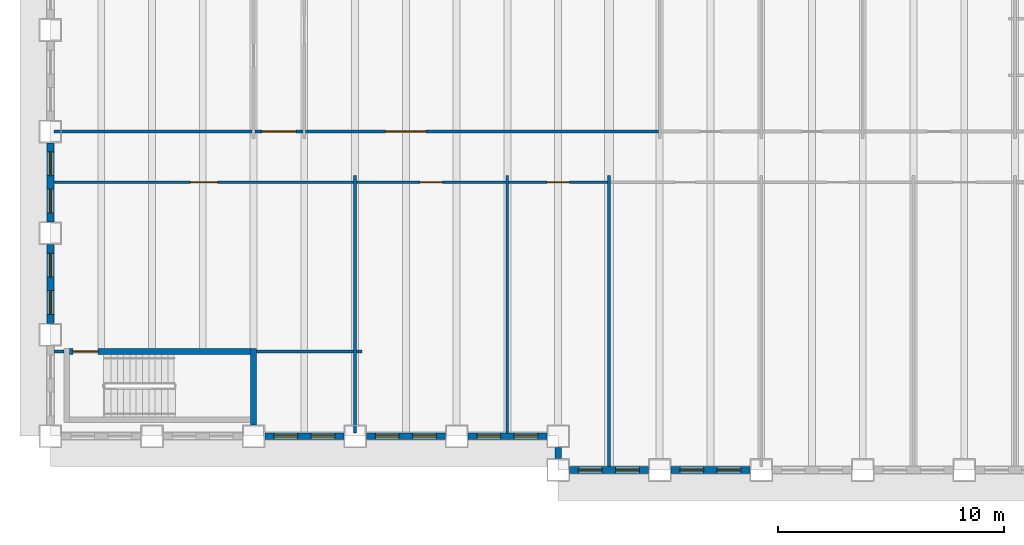
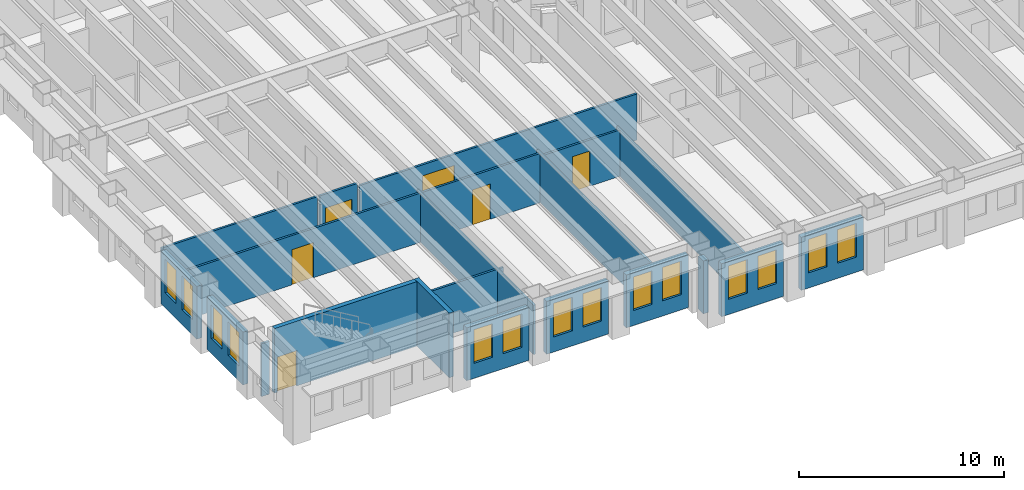
# One storey, part 3 of 16: 22 walls, 14 windows, 6 doors, 20 openings.
"""IFC4 building model written with IfcOpenShell, lengths in metres."""

from ifc_helpers import new_model, si_unit, direction, frame, frame_2d, origin, place, context, subcontext, project, spatial, rectangle, extrude, material, layer, layer_set, type_object, element, fill, save


model = new_model("IFC4")

# Units and contexts
model_context = context("Model", 3, precision=1e-05, world=origin(), true_north=direction((0.0, 1.0)))
body_context = subcontext(model_context, "Body", "Model", "MODEL_VIEW")
ifc_project = project(units=[si_unit("LENGTHUNIT", "METRE"), si_unit("AREAUNIT", "SQUARE_METRE"), si_unit("VOLUMEUNIT", "CUBIC_METRE"), si_unit("PLANEANGLEUNIT", "RADIAN"), si_unit("MASSUNIT", "GRAM", prefix="KILO")], contexts=[model_context])

# Site, building, storey
site_placement = place(None, origin())
site = spatial("IfcSite", under=ifc_project, at=site_placement, CompositionType="ELEMENT")
building_placement = place(site_placement, origin())
building = spatial("IfcBuilding", under=site, at=building_placement, Name="Sennacour Bend Tower", CompositionType="ELEMENT")
storey_placement = place(building_placement, frame((0.0, 0.0, 123.0)))
storey = spatial("IfcBuildingStorey", under=building, at=storey_placement, Name="L28", CompositionType="ELEMENT", Elevation=123.0)

# Walls
ifc_material_1 = material(Name="Plasterboard partition on steel studs", Category="steel")
ifc_layer_1 = layer(ifc_material_1, 0.1201171875, Name="Plasterboard partition on steel studs", Category="steel")
ifc_layer_set_1 = layer_set([ifc_layer_1], Name="Plasterboard partition on steel studs")
wall_type_1 = type_object("IfcWallType", Name="Partition 120", PredefinedType="PARTITIONING", material=ifc_layer_set_1)
for number, where, z_axis, x_axis, name in (
    (1, (13.5, 0.14990234375, 0.0), (0.0, 0.0, 1.0), (0.0, 1.0, 0.0), "P-L28-W015a"),
    (2, (20.25, 0.14990234375, 0.0), (0.0, 0.0, 1.0), (0.0, 1.0, 0.0), "P-L28-W023a"),
):
    element("IfcWall", number, at=place(storey_placement, frame(where, z_axis=z_axis, x_axis=x_axis)), inside=storey, type_object=wall_type_1, Name=name, PredefinedType="PARTITIONING", context=body_context, shape_type="SweptSolid", body=[
        extrude(rectangle(XDim=11.400146484375, YDim=0.1201171875, at=frame_2d((5.7001953125, 0.0))), origin(), (0.0, 0.0, 1.0), 2.93798828125),
    ])
wall_1_placement = place(storey_placement, frame((24.75, -1.35009765625, 0.0), z_axis=(0.0, 0.0, 1.0), x_axis=(0.0, 1.0, 0.0)))
element("IfcWall", 3, at=wall_1_placement, inside=storey, type_object=wall_type_1, Name="P-L28-W025a", PredefinedType="PARTITIONING", context=body_context, shape_type="SweptSolid", body=[
    extrude(rectangle(XDim=12.900146484375, YDim=0.1201171875, at=frame_2d((6.4501953125, 0.0))), origin(), (0.0, 0.0, 1.0), 2.760009765625),
])
wall_2_placement = place(storey_placement, frame((0.14990234375, 3.75, 0.0), z_axis=(0.0, 0.0, 1.0), x_axis=(1.0, 0.0, 0.0)))
element("IfcWall", 4, at=wall_2_placement, inside=storey, type_object=wall_type_1, Name="P-L28-W051a", PredefinedType="PARTITIONING", context=body_context, shape_type="SweptSolid", body=[
    extrude(rectangle(XDim=0.4501953125, YDim=0.1201171875, at=frame_2d((0.22509765625, 0.0))), origin(), (0.0, 0.0, 1.0), 3.154052734375),
])
wall_3_placement = place(storey_placement, frame((9.125, 3.75, 0.0), z_axis=(0.0, 0.0, 1.0), x_axis=(1.0, 0.0, 0.0)))
element("IfcWall", 5, at=wall_3_placement, inside=storey, type_object=wall_type_1, Name="P-L28-W053aa", PredefinedType="PARTITIONING", context=body_context, shape_type="SweptSolid", body=[
    extrude(rectangle(XDim=4.31494140625, YDim=0.1201171875, at=frame_2d((2.157470703125, 0.0))), origin(), (0.0, 0.0, 1.0), 2.93798828125),
])
wall_4_placement = place(storey_placement, frame((13.56005859375, 3.75, 0.0), z_axis=(0.0, 0.0, 1.0), x_axis=(1.0, 0.0, 0.0)))
element("IfcWall", 6, at=wall_4_placement, inside=storey, type_object=wall_type_1, Name="P-L28-W053ab", PredefinedType="PARTITIONING", context=body_context, shape_type="SweptSolid", body=[
    extrude(rectangle(XDim=0.239990234375, YDim=0.1201171875, at=frame_2d((0.1201171875, 0.0))), origin(), (0.0, 0.0, 1.0), 2.93798828125),
])

# Wall, opening, door
wall_5_placement = place(storey_placement, frame((13.56005859375, 11.25, 0.0), z_axis=(0.0, 0.0, 1.0), x_axis=(1.0, 0.0, 0.0)))
wall_5 = element("IfcWall", 7, at=wall_5_placement, inside=storey, type_object=wall_type_1, Name="P-L28-W058ab", PredefinedType="PARTITIONING", context=body_context, shape_type="SweptSolid", body=[
    extrude(rectangle(XDim=6.6298828125, YDim=0.1201171875, at=frame_2d((3.31494140625, 0.0))), origin(), (0.0, 0.0, 1.0), 2.93798828125),
])
opening_1_placement = place(wall_5_placement, frame((2.81494140625, 0.0, 0.0)))
opening_1 = element("IfcOpeningElement", 8, at=opening_1_placement, cuts=wall_5, Name="Opening OD2", PredefinedType="OPENING", context=body_context, shape_type="SweptSolid", body=[
    extrude(rectangle(XDim=1.0, YDim=2.10009765625, at=frame_2d((0.5, 1.050048828125))), frame((0.0, 0.070068359375, 0.0), z_axis=(0.0, -1.0, 0.0), x_axis=(1.0, 0.0, 0.0)), (0.0, 0.0, 1.0), 0.14013671875),
])
ifc_material_2 = material(Name="Timber", Category="wood")
door_type_1 = type_object("IfcDoorType", Name="DR-OFFICE-1000", OperationType="NOTDEFINED", PredefinedType="DOOR", material=ifc_material_2)
door_1_placement = place(opening_1_placement, origin())
door_1 = element("IfcDoor", 9, at=door_1_placement, inside=storey, type_object=door_type_1, Name="Door", OperationType="SINGLE_SWING_LEFT", OverallHeight=2.10009765625, OverallWidth=1.0, PredefinedType="DOOR", context=body_context, shape_type="SweptSolid", body=[
    extrude(rectangle(XDim=1.0, YDim=2.10009765625, at=frame_2d((0.5, 1.050048828125))), frame((0.0, 0.02490234375, 0.0), z_axis=(0.0, -1.0, 0.0), x_axis=(1.0, 0.0, 0.0)), (0.0, 0.0, 1.0), 0.050048828125),
])
fill(opening_1, door_1)

wall_6_placement = place(storey_placement, frame((20.31005859375, 11.25, 0.0), z_axis=(0.0, 0.0, 1.0), x_axis=(1.0, 0.0, 0.0)))
wall_6 = element("IfcWall", 10, at=wall_6_placement, inside=storey, type_object=wall_type_1, Name="P-L28-W058ac", PredefinedType="PARTITIONING", context=body_context, shape_type="SweptSolid", body=[
    extrude(rectangle(XDim=4.3798828125, YDim=0.1201171875, at=frame_2d((2.18994140625, 0.0))), origin(), (0.0, 0.0, 1.0), 2.760009765625),
])
opening_2_placement = place(wall_6_placement, frame((1.68994140625, 0.0, 0.0)))
opening_2 = element("IfcOpeningElement", 11, at=opening_2_placement, cuts=wall_6, Name="Opening OD2", PredefinedType="OPENING", context=body_context, shape_type="SweptSolid", body=[
    extrude(rectangle(XDim=1.0, YDim=2.10009765625, at=frame_2d((0.5, 1.050048828125))), frame((0.0, 0.070068359375, 0.0), z_axis=(0.0, -1.0, 0.0), x_axis=(1.0, 0.0, 0.0)), (0.0, 0.0, 1.0), 0.14013671875),
])
door_2_placement = place(opening_2_placement, origin())
door_2 = element("IfcDoor", 12, at=door_2_placement, inside=storey, type_object=door_type_1, Name="Door", OperationType="SINGLE_SWING_LEFT", OverallHeight=2.10009765625, OverallWidth=1.0, PredefinedType="DOOR", context=body_context, shape_type="SweptSolid", body=[
    extrude(rectangle(XDim=1.0, YDim=2.10009765625, at=frame_2d((0.5, 1.050048828125))), frame((0.0, 0.02490234375, 0.0), z_axis=(0.0, -1.0, 0.0), x_axis=(1.0, 0.0, 0.0)), (0.0, 0.0, 1.0), 0.050048828125),
])
fill(opening_2, door_2)

# Wall
wall_7_placement = place(storey_placement, frame((0.14990234375, 13.5, 0.0), z_axis=(0.0, 0.0, 1.0), x_axis=(1.0, 0.0, 0.0)))
element("IfcWall", 13, at=wall_7_placement, inside=storey, type_object=wall_type_1, Name="P-L28-W060aa", PredefinedType="PARTITIONING", context=body_context, shape_type="SweptSolid", body=[
    extrude(rectangle(XDim=8.7900390625, YDim=0.1201171875, at=frame_2d((4.39501953125, 0.0))), origin(), (0.0, 0.0, 1.0), 2.93798828125),
])

# Wall, opening, door
wall_8_placement = place(storey_placement, frame((11.31005859375, 13.5, 0.0), z_axis=(0.0, 0.0, 1.0), x_axis=(1.0, 0.0, 0.0)))
wall_8 = element("IfcWall", 14, at=wall_8_placement, inside=storey, type_object=wall_type_1, Name="P-L28-W060ac", PredefinedType="PARTITIONING", context=body_context, shape_type="SweptSolid", body=[
    extrude(rectangle(XDim=15.6298828125, YDim=0.1201171875, at=frame_2d((7.81494140625, 0.0))), origin(), (0.0, 0.0, 1.0), 2.760009765625),
])
opening_3_placement = place(wall_8_placement, frame((3.539794921875, 0.0, 0.0)))
opening_3 = element("IfcOpeningElement", 15, at=opening_3_placement, cuts=wall_8, Name="Opening OD3", PredefinedType="OPENING", context=body_context, shape_type="SweptSolid", body=[
    extrude(rectangle(XDim=1.800048828125, YDim=2.10009765625, at=frame_2d((0.89990234375, 1.050048828125))), frame((0.0, 0.070068359375, 0.0), z_axis=(0.0, -1.0, 0.0), x_axis=(1.0, 0.0, 0.0)), (0.0, 0.0, 1.0), 0.14013671875),
])
door_type_2 = type_object("IfcDoorType", Name="DR-OFFICE-1800", OperationType="NOTDEFINED", PredefinedType="DOOR", material=ifc_material_2)
door_3_placement = place(opening_3_placement, origin())
door_3 = element("IfcDoor", 16, at=door_3_placement, inside=storey, type_object=door_type_2, Name="Door", OperationType="DOUBLE_DOOR_SINGLE_SWING", OverallHeight=2.10009765625, OverallWidth=1.800048828125, PredefinedType="DOOR", context=body_context, shape_type="SweptSolid", body=[
    extrude(rectangle(XDim=1.800048828125, YDim=2.10009765625, at=frame_2d((0.89990234375, 1.050048828125))), frame((0.0, 0.02490234375, 0.0), z_axis=(0.0, -1.0, 0.0), x_axis=(1.0, 0.0, 0.0)), (0.0, 0.0, 1.0), 0.050048828125),
])
fill(opening_3, door_3)

ifc_layer_2 = layer(ifc_material_1, 0.1201171875, Name="Plasterboard partition on steel studs", Category="steel")
ifc_layer_set_2 = layer_set([ifc_layer_2], Name="Plasterboard partition on steel studs")
wall_type_2 = type_object("IfcWallType", Name="Partition 120 EI 30", PredefinedType="PARTITIONING", material=ifc_layer_set_2)
wall_9_placement = place(storey_placement, frame((0.14990234375, 11.25, 0.0), z_axis=(0.0, 0.0, 1.0), x_axis=(1.0, 0.0, 0.0)))
wall_9 = element("IfcWall", 17, at=wall_9_placement, inside=storey, type_object=wall_type_2, Name="P-L28-W058aa", PredefinedType="PARTITIONING", context=body_context, shape_type="SweptSolid", body=[
    extrude(rectangle(XDim=13.2900390625, YDim=0.1201171875, at=frame_2d((6.64501953125, 0.0))), origin(), (0.0, 0.0, 1.0), 2.93798828125),
])
opening_4_placement = place(wall_9_placement, frame((6.05517578125, 0.0, 0.0)))
opening_4 = element("IfcOpeningElement", 18, at=opening_4_placement, cuts=wall_9, Name="Opening KD2", PredefinedType="OPENING", context=body_context, shape_type="SweptSolid", body=[
    extrude(rectangle(XDim=1.199951171875, YDim=2.10009765625, at=frame_2d((0.60009765625, 1.050048828125))), frame((0.0, 0.070068359375, 0.0), z_axis=(0.0, -1.0, 0.0), x_axis=(1.0, 0.0, 0.0)), (0.0, 0.0, 1.0), 0.14013671875),
])
ifc_material_3 = material(Name="Painted steel", Category="steel")
door_type_3 = type_object("IfcDoorType", Name="DR-CORRIDOR-1200", OperationType="NOTDEFINED", PredefinedType="DOOR", material=ifc_material_3)
door_4_placement = place(opening_4_placement, origin())
door_4 = element("IfcDoor", 19, at=door_4_placement, inside=storey, type_object=door_type_3, Name="Door", OperationType="SINGLE_SWING_LEFT", OverallHeight=2.10009765625, OverallWidth=1.199951171875, PredefinedType="DOOR", context=body_context, shape_type="SweptSolid", body=[
    extrude(rectangle(XDim=1.199951171875, YDim=2.10009765625, at=frame_2d((0.60009765625, 1.050048828125))), frame((0.0, 0.02490234375, 0.0), z_axis=(0.0, -1.0, 0.0), x_axis=(1.0, 0.0, 0.0)), (0.0, 0.0, 1.0), 0.050048828125),
])
fill(opening_4, door_4)

wall_10_placement = place(storey_placement, frame((9.06005859375, 13.5, 0.0), z_axis=(0.0, 0.0, 1.0), x_axis=(1.0, 0.0, 0.0)))
wall_10 = element("IfcWall", 20, at=wall_10_placement, inside=storey, type_object=wall_type_2, Name="P-L28-W060ab", PredefinedType="PARTITIONING", context=body_context, shape_type="SweptSolid", body=[
    extrude(rectangle(XDim=2.1298828125, YDim=0.1201171875, at=frame_2d((1.06494140625, 0.0))), origin(), (0.0, 0.0, 1.0), 2.93798828125),
])
opening_5_placement = place(wall_10_placement, frame((0.31494140625, 0.0, 0.0)))
opening_5 = element("IfcOpeningElement", 21, at=opening_5_placement, cuts=wall_10, Name="Opening KD", PredefinedType="OPENING", context=body_context, shape_type="SweptSolid", body=[
    extrude(rectangle(XDim=1.5, YDim=2.10009765625, at=frame_2d((0.75, 1.050048828125))), frame((0.0, 0.070068359375, 0.0), z_axis=(0.0, -1.0, 0.0), x_axis=(1.0, 0.0, 0.0)), (0.0, 0.0, 1.0), 0.14013671875),
])
door_type_4 = type_object("IfcDoorType", Name="DR-CORRIDOR-1500", OperationType="NOTDEFINED", PredefinedType="DOOR", material=ifc_material_3)
door_5_placement = place(opening_5_placement, origin())
door_5 = element("IfcDoor", 22, at=door_5_placement, inside=storey, type_object=door_type_4, Name="Door", OperationType="SINGLE_SWING_LEFT", OverallHeight=2.10009765625, OverallWidth=1.5, PredefinedType="DOOR", context=body_context, shape_type="SweptSolid", body=[
    extrude(rectangle(XDim=1.5, YDim=2.10009765625, at=frame_2d((0.75, 1.050048828125))), frame((0.0, 0.02490234375, 0.0), z_axis=(0.0, -1.0, 0.0), x_axis=(1.0, 0.0, 0.0)), (0.0, 0.0, 1.0), 0.050048828125),
])
fill(opening_5, door_5)

# Wall, openings, windows
ifc_material_4 = material(Name="Warm limestone cladding", Category="masonry")
ifc_layer_3 = layer(ifc_material_4, 0.050048828125, Name="Warm limestone cladding", Category="masonry")
ifc_material_5 = material(Name="Precast concrete C40/50", Category="concrete")
ifc_layer_4 = layer(ifc_material_5, 0.25, Name="Precast concrete C40/50", Category="concrete")
ifc_layer_set_3 = layer_set([ifc_layer_3, ifc_layer_4], Name="Precast concrete C40/50 with limestone cladding")
wall_type_3 = type_object("IfcWallType", Name="STONE-CLAD PRECAST SPANDREL 300", PredefinedType="STANDARD", material=ifc_layer_set_3)
wall_11_placement = place(storey_placement, frame((23.0, -1.5, 0.0), z_axis=(0.0, 0.0, 1.0), x_axis=(1.0, 0.0, 0.0)))
wall_11 = element("IfcWall", 23, at=wall_11_placement, inside=storey, type_object=wall_type_3, Name="Stone spandrel and pier wall L28 00.00", PredefinedType="STANDARD", context=body_context, shape_type="SweptSolid", body=[
    extrude(rectangle(XDim=3.5, YDim=0.300048828125, at=frame_2d((1.75, 0.0))), origin(), (0.0, 0.0, 1.0), 3.154052734375),
])
opening_6_placement = place(wall_11_placement, frame((0.39990234375, 0.0, 0.89990234375)))
opening_6 = element("IfcOpeningElement", 24, at=opening_6_placement, cuts=wall_11, Name="Opening W13", PredefinedType="OPENING", context=body_context, shape_type="SweptSolid", body=[
    extrude(rectangle(XDim=1.050048828125, YDim=2.0, at=frame_2d((0.52490234375, 1.0))), frame((0.0, 0.16015625, 0.0), z_axis=(0.0, -1.0, 0.0), x_axis=(1.0, 0.0, 0.0)), (0.0, 0.0, 1.0), 0.320068359375),
])
opening_7_placement = place(wall_11_placement, frame((2.050048828125, 0.0, 0.89990234375)))
opening_7 = element("IfcOpeningElement", 25, at=opening_7_placement, cuts=wall_11, Name="Opening W13", PredefinedType="OPENING", context=body_context, shape_type="SweptSolid", body=[
    extrude(rectangle(XDim=1.050048828125, YDim=2.0, at=frame_2d((0.52490234375, 1.0))), frame((0.0, 0.16015625, 0.0), z_axis=(0.0, -1.0, 0.0), x_axis=(1.0, 0.0, 0.0)), (0.0, 0.0, 1.0), 0.320068359375),
])
ifc_material_6 = material(Name="Clear low-emissivity glass", Category="glass")
window_type = type_object("IfcWindowType", Name="WIN-RIBBON-1050x2000", PartitioningType="SINGLE_PANEL", PredefinedType="WINDOW", material=ifc_material_6)
window_1_placement = place(opening_6_placement, origin())
window_1 = element("IfcWindow", 26, at=window_1_placement, inside=storey, type_object=window_type, Name="Ribbon window L28 00.00.0", OverallHeight=2.0, OverallWidth=1.050048828125, PartitioningType="SINGLE_PANEL", PredefinedType="WINDOW", context=body_context, shape_type="SweptSolid", body=[
    extrude(rectangle(XDim=1.050048828125, YDim=2.0, at=frame_2d((0.52490234375, 1.0))), frame((0.0, 0.030029296875, 0.0), z_axis=(0.0, -1.0, 0.0), x_axis=(1.0, 0.0, 0.0)), (0.0, 0.0, 1.0), 0.06005859375),
])
fill(opening_6, window_1)
window_2_placement = place(opening_7_placement, origin())
window_2 = element("IfcWindow", 27, at=window_2_placement, inside=storey, type_object=window_type, Name="Ribbon window L28 00.00.1", OverallHeight=2.0, OverallWidth=1.050048828125, PartitioningType="SINGLE_PANEL", PredefinedType="WINDOW", context=body_context, shape_type="SweptSolid", body=[
    extrude(rectangle(XDim=1.050048828125, YDim=2.0, at=frame_2d((0.52490234375, 1.0))), frame((0.0, 0.030029296875, 0.0), z_axis=(0.0, -1.0, 0.0), x_axis=(1.0, 0.0, 0.0)), (0.0, 0.0, 1.0), 0.06005859375),
])
fill(opening_7, window_2)

wall_12_placement = place(storey_placement, frame((27.5, -1.5, 0.0), z_axis=(0.0, 0.0, 1.0), x_axis=(1.0, 0.0, 0.0)))
wall_12 = element("IfcWall", 28, at=wall_12_placement, inside=storey, type_object=wall_type_3, Name="Stone spandrel and pier wall L28 00.01", PredefinedType="STANDARD", context=body_context, shape_type="SweptSolid", body=[
    extrude(rectangle(XDim=3.5, YDim=0.300048828125, at=frame_2d((1.75, 0.0))), origin(), (0.0, 0.0, 1.0), 3.154052734375),
])
opening_8_placement = place(wall_12_placement, frame((0.39990234375, 0.0, 0.89990234375)))
opening_8 = element("IfcOpeningElement", 29, at=opening_8_placement, cuts=wall_12, Name="Opening W13", PredefinedType="OPENING", context=body_context, shape_type="SweptSolid", body=[
    extrude(rectangle(XDim=1.050048828125, YDim=2.0, at=frame_2d((0.52490234375, 1.0))), frame((0.0, 0.16015625, 0.0), z_axis=(0.0, -1.0, 0.0), x_axis=(1.0, 0.0, 0.0)), (0.0, 0.0, 1.0), 0.320068359375),
])
opening_9_placement = place(wall_12_placement, frame((2.050048828125, 0.0, 0.89990234375)))
opening_9 = element("IfcOpeningElement", 30, at=opening_9_placement, cuts=wall_12, Name="Opening W13", PredefinedType="OPENING", context=body_context, shape_type="SweptSolid", body=[
    extrude(rectangle(XDim=1.050048828125, YDim=2.0, at=frame_2d((0.52490234375, 1.0))), frame((0.0, 0.16015625, 0.0), z_axis=(0.0, -1.0, 0.0), x_axis=(1.0, 0.0, 0.0)), (0.0, 0.0, 1.0), 0.320068359375),
])
window_3_placement = place(opening_8_placement, origin())
window_3 = element("IfcWindow", 31, at=window_3_placement, inside=storey, type_object=window_type, Name="Ribbon window L28 00.01.0", OverallHeight=2.0, OverallWidth=1.050048828125, PartitioningType="SINGLE_PANEL", PredefinedType="WINDOW", context=body_context, shape_type="SweptSolid", body=[
    extrude(rectangle(XDim=1.050048828125, YDim=2.0, at=frame_2d((0.52490234375, 1.0))), frame((0.0, 0.030029296875, 0.0), z_axis=(0.0, -1.0, 0.0), x_axis=(1.0, 0.0, 0.0)), (0.0, 0.0, 1.0), 0.06005859375),
])
fill(opening_8, window_3)
window_4_placement = place(opening_9_placement, origin())
window_4 = element("IfcWindow", 32, at=window_4_placement, inside=storey, type_object=window_type, Name="Ribbon window L28 00.01.1", OverallHeight=2.0, OverallWidth=1.050048828125, PartitioningType="SINGLE_PANEL", PredefinedType="WINDOW", context=body_context, shape_type="SweptSolid", body=[
    extrude(rectangle(XDim=1.050048828125, YDim=2.0, at=frame_2d((0.52490234375, 1.0))), frame((0.0, 0.030029296875, 0.0), z_axis=(0.0, -1.0, 0.0), x_axis=(1.0, 0.0, 0.0)), (0.0, 0.0, 1.0), 0.06005859375),
])
fill(opening_9, window_4)

wall_13_placement = place(storey_placement, frame((0.0, 13.0, 0.0), z_axis=(0.0, 0.0, 1.0), x_axis=(0.0, -1.0, 0.0)))
wall_13 = element("IfcWall", 33, at=wall_13_placement, inside=storey, type_object=wall_type_3, Name="Stone spandrel and pier wall L28 21.02", PredefinedType="STANDARD", context=body_context, shape_type="SweptSolid", body=[
    extrude(rectangle(XDim=3.5, YDim=0.300048828125, at=frame_2d((1.75, 0.0))), origin(), (0.0, 0.0, 1.0), 3.154052734375),
])
opening_10_placement = place(wall_13_placement, frame((0.39990234375, 0.0, 0.89990234375)))
opening_10 = element("IfcOpeningElement", 34, at=opening_10_placement, cuts=wall_13, Name="Opening W13", PredefinedType="OPENING", context=body_context, shape_type="SweptSolid", body=[
    extrude(rectangle(XDim=1.050048828125, YDim=2.0, at=frame_2d((0.52490234375, 1.0))), frame((0.0, 0.16015625, 0.0), z_axis=(0.0, -1.0, 0.0), x_axis=(1.0, 0.0, 0.0)), (0.0, 0.0, 1.0), 0.320068359375),
])
opening_11_placement = place(wall_13_placement, frame((2.050048828125, 0.0, 0.89990234375)))
opening_11 = element("IfcOpeningElement", 35, at=opening_11_placement, cuts=wall_13, Name="Opening W13", PredefinedType="OPENING", context=body_context, shape_type="SweptSolid", body=[
    extrude(rectangle(XDim=1.050048828125, YDim=2.0, at=frame_2d((0.52490234375, 1.0))), frame((0.0, 0.16015625, 0.0), z_axis=(0.0, -1.0, 0.0), x_axis=(1.0, 0.0, 0.0)), (0.0, 0.0, 1.0), 0.320068359375),
])
window_5_placement = place(opening_10_placement, origin())
window_5 = element("IfcWindow", 36, at=window_5_placement, inside=storey, type_object=window_type, Name="Ribbon window L28 21.02.0", OverallHeight=2.0, OverallWidth=1.050048828125, PartitioningType="SINGLE_PANEL", PredefinedType="WINDOW", context=body_context, shape_type="SweptSolid", body=[
    extrude(rectangle(XDim=1.050048828125, YDim=2.0, at=frame_2d((0.52490234375, 1.0))), frame((0.0, 0.030029296875, 0.0), z_axis=(0.0, -1.0, 0.0), x_axis=(1.0, 0.0, 0.0)), (0.0, 0.0, 1.0), 0.06005859375),
])
fill(opening_10, window_5)
window_6_placement = place(opening_11_placement, origin())
window_6 = element("IfcWindow", 37, at=window_6_placement, inside=storey, type_object=window_type, Name="Ribbon window L28 21.02.1", OverallHeight=2.0, OverallWidth=1.050048828125, PartitioningType="SINGLE_PANEL", PredefinedType="WINDOW", context=body_context, shape_type="SweptSolid", body=[
    extrude(rectangle(XDim=1.050048828125, YDim=2.0, at=frame_2d((0.52490234375, 1.0))), frame((0.0, 0.030029296875, 0.0), z_axis=(0.0, -1.0, 0.0), x_axis=(1.0, 0.0, 0.0)), (0.0, 0.0, 1.0), 0.06005859375),
])
fill(opening_11, window_6)

wall_14_placement = place(storey_placement, frame((0.0, 8.5, 0.0), z_axis=(0.0, 0.0, 1.0), x_axis=(0.0, -1.0, 0.0)))
wall_14 = element("IfcWall", 38, at=wall_14_placement, inside=storey, type_object=wall_type_3, Name="Stone spandrel and pier wall L28 21.03", PredefinedType="STANDARD", context=body_context, shape_type="SweptSolid", body=[
    extrude(rectangle(XDim=3.5, YDim=0.300048828125, at=frame_2d((1.75, 0.0))), origin(), (0.0, 0.0, 1.0), 3.154052734375),
])
opening_12_placement = place(wall_14_placement, frame((0.39990234375, 0.0, 0.89990234375)))
opening_12 = element("IfcOpeningElement", 39, at=opening_12_placement, cuts=wall_14, Name="Opening W13", PredefinedType="OPENING", context=body_context, shape_type="SweptSolid", body=[
    extrude(rectangle(XDim=1.050048828125, YDim=2.0, at=frame_2d((0.52490234375, 1.0))), frame((0.0, 0.16015625, 0.0), z_axis=(0.0, -1.0, 0.0), x_axis=(1.0, 0.0, 0.0)), (0.0, 0.0, 1.0), 0.320068359375),
])
opening_13_placement = place(wall_14_placement, frame((2.050048828125, 0.0, 0.89990234375)))
opening_13 = element("IfcOpeningElement", 40, at=opening_13_placement, cuts=wall_14, Name="Opening W13", PredefinedType="OPENING", context=body_context, shape_type="SweptSolid", body=[
    extrude(rectangle(XDim=1.050048828125, YDim=2.0, at=frame_2d((0.52490234375, 1.0))), frame((0.0, 0.16015625, 0.0), z_axis=(0.0, -1.0, 0.0), x_axis=(1.0, 0.0, 0.0)), (0.0, 0.0, 1.0), 0.320068359375),
])
window_7_placement = place(opening_12_placement, origin())
window_7 = element("IfcWindow", 41, at=window_7_placement, inside=storey, type_object=window_type, Name="Ribbon window L28 21.03.0", OverallHeight=2.0, OverallWidth=1.050048828125, PartitioningType="SINGLE_PANEL", PredefinedType="WINDOW", context=body_context, shape_type="SweptSolid", body=[
    extrude(rectangle(XDim=1.050048828125, YDim=2.0, at=frame_2d((0.52490234375, 1.0))), frame((0.0, 0.030029296875, 0.0), z_axis=(0.0, -1.0, 0.0), x_axis=(1.0, 0.0, 0.0)), (0.0, 0.0, 1.0), 0.06005859375),
])
fill(opening_12, window_7)
window_8_placement = place(opening_13_placement, origin())
window_8 = element("IfcWindow", 42, at=window_8_placement, inside=storey, type_object=window_type, Name="Ribbon window L28 21.03.1", OverallHeight=2.0, OverallWidth=1.050048828125, PartitioningType="SINGLE_PANEL", PredefinedType="WINDOW", context=body_context, shape_type="SweptSolid", body=[
    extrude(rectangle(XDim=1.050048828125, YDim=2.0, at=frame_2d((0.52490234375, 1.0))), frame((0.0, 0.030029296875, 0.0), z_axis=(0.0, -1.0, 0.0), x_axis=(1.0, 0.0, 0.0)), (0.0, 0.0, 1.0), 0.06005859375),
])
fill(opening_13, window_8)

wall_15_placement = place(storey_placement, frame((9.5, 0.0, 0.0), z_axis=(0.0, 0.0, 1.0), x_axis=(1.0, 0.0, 0.0)))
wall_15 = element("IfcWall", 43, at=wall_15_placement, inside=storey, type_object=wall_type_3, Name="Stone spandrel and pier wall L28 22.02", PredefinedType="STANDARD", context=body_context, shape_type="SweptSolid", body=[
    extrude(rectangle(XDim=3.5, YDim=0.300048828125, at=frame_2d((1.75, 0.0))), origin(), (0.0, 0.0, 1.0), 3.154052734375),
])
opening_14_placement = place(wall_15_placement, frame((0.39990234375, 0.0, 0.89990234375)))
opening_14 = element("IfcOpeningElement", 44, at=opening_14_placement, cuts=wall_15, Name="Opening W13", PredefinedType="OPENING", context=body_context, shape_type="SweptSolid", body=[
    extrude(rectangle(XDim=1.050048828125, YDim=2.0, at=frame_2d((0.52490234375, 1.0))), frame((0.0, 0.16015625, 0.0), z_axis=(0.0, -1.0, 0.0), x_axis=(1.0, 0.0, 0.0)), (0.0, 0.0, 1.0), 0.320068359375),
])
opening_15_placement = place(wall_15_placement, frame((2.050048828125, 0.0, 0.89990234375)))
opening_15 = element("IfcOpeningElement", 45, at=opening_15_placement, cuts=wall_15, Name="Opening W13", PredefinedType="OPENING", context=body_context, shape_type="SweptSolid", body=[
    extrude(rectangle(XDim=1.050048828125, YDim=2.0, at=frame_2d((0.52490234375, 1.0))), frame((0.0, 0.16015625, 0.0), z_axis=(0.0, -1.0, 0.0), x_axis=(1.0, 0.0, 0.0)), (0.0, 0.0, 1.0), 0.320068359375),
])
window_9_placement = place(opening_14_placement, origin())
window_9 = element("IfcWindow", 46, at=window_9_placement, inside=storey, type_object=window_type, Name="Ribbon window L28 22.02.0", OverallHeight=2.0, OverallWidth=1.050048828125, PartitioningType="SINGLE_PANEL", PredefinedType="WINDOW", context=body_context, shape_type="SweptSolid", body=[
    extrude(rectangle(XDim=1.050048828125, YDim=2.0, at=frame_2d((0.52490234375, 1.0))), frame((0.0, 0.030029296875, 0.0), z_axis=(0.0, -1.0, 0.0), x_axis=(1.0, 0.0, 0.0)), (0.0, 0.0, 1.0), 0.06005859375),
])
fill(opening_14, window_9)
window_10_placement = place(opening_15_placement, origin())
window_10 = element("IfcWindow", 47, at=window_10_placement, inside=storey, type_object=window_type, Name="Ribbon window L28 22.02.1", OverallHeight=2.0, OverallWidth=1.050048828125, PartitioningType="SINGLE_PANEL", PredefinedType="WINDOW", context=body_context, shape_type="SweptSolid", body=[
    extrude(rectangle(XDim=1.050048828125, YDim=2.0, at=frame_2d((0.52490234375, 1.0))), frame((0.0, 0.030029296875, 0.0), z_axis=(0.0, -1.0, 0.0), x_axis=(1.0, 0.0, 0.0)), (0.0, 0.0, 1.0), 0.06005859375),
])
fill(opening_15, window_10)

wall_16_placement = place(storey_placement, frame((14.0, 0.0, 0.0), z_axis=(0.0, 0.0, 1.0), x_axis=(1.0, 0.0, 0.0)))
wall_16 = element("IfcWall", 48, at=wall_16_placement, inside=storey, type_object=wall_type_3, Name="Stone spandrel and pier wall L28 22.03", PredefinedType="STANDARD", context=body_context, shape_type="SweptSolid", body=[
    extrude(rectangle(XDim=3.5, YDim=0.300048828125, at=frame_2d((1.75, 0.0))), origin(), (0.0, 0.0, 1.0), 3.154052734375),
])
opening_16_placement = place(wall_16_placement, frame((0.39990234375, 0.0, 0.89990234375)))
opening_16 = element("IfcOpeningElement", 49, at=opening_16_placement, cuts=wall_16, Name="Opening W13", PredefinedType="OPENING", context=body_context, shape_type="SweptSolid", body=[
    extrude(rectangle(XDim=1.050048828125, YDim=2.0, at=frame_2d((0.52490234375, 1.0))), frame((0.0, 0.16015625, 0.0), z_axis=(0.0, -1.0, 0.0), x_axis=(1.0, 0.0, 0.0)), (0.0, 0.0, 1.0), 0.320068359375),
])
opening_17_placement = place(wall_16_placement, frame((2.050048828125, 0.0, 0.89990234375)))
opening_17 = element("IfcOpeningElement", 50, at=opening_17_placement, cuts=wall_16, Name="Opening W13", PredefinedType="OPENING", context=body_context, shape_type="SweptSolid", body=[
    extrude(rectangle(XDim=1.050048828125, YDim=2.0, at=frame_2d((0.52490234375, 1.0))), frame((0.0, 0.16015625, 0.0), z_axis=(0.0, -1.0, 0.0), x_axis=(1.0, 0.0, 0.0)), (0.0, 0.0, 1.0), 0.320068359375),
])
window_11_placement = place(opening_16_placement, origin())
window_11 = element("IfcWindow", 51, at=window_11_placement, inside=storey, type_object=window_type, Name="Ribbon window L28 22.03.0", OverallHeight=2.0, OverallWidth=1.050048828125, PartitioningType="SINGLE_PANEL", PredefinedType="WINDOW", context=body_context, shape_type="SweptSolid", body=[
    extrude(rectangle(XDim=1.050048828125, YDim=2.0, at=frame_2d((0.52490234375, 1.0))), frame((0.0, 0.030029296875, 0.0), z_axis=(0.0, -1.0, 0.0), x_axis=(1.0, 0.0, 0.0)), (0.0, 0.0, 1.0), 0.06005859375),
])
fill(opening_16, window_11)
window_12_placement = place(opening_17_placement, origin())
window_12 = element("IfcWindow", 52, at=window_12_placement, inside=storey, type_object=window_type, Name="Ribbon window L28 22.03.1", OverallHeight=2.0, OverallWidth=1.050048828125, PartitioningType="SINGLE_PANEL", PredefinedType="WINDOW", context=body_context, shape_type="SweptSolid", body=[
    extrude(rectangle(XDim=1.050048828125, YDim=2.0, at=frame_2d((0.52490234375, 1.0))), frame((0.0, 0.030029296875, 0.0), z_axis=(0.0, -1.0, 0.0), x_axis=(1.0, 0.0, 0.0)), (0.0, 0.0, 1.0), 0.06005859375),
])
fill(opening_17, window_12)

wall_17_placement = place(storey_placement, frame((18.5, 0.0, 0.0), z_axis=(0.0, 0.0, 1.0), x_axis=(1.0, 0.0, 0.0)))
wall_17 = element("IfcWall", 53, at=wall_17_placement, inside=storey, type_object=wall_type_3, Name="Stone spandrel and pier wall L28 22.04", PredefinedType="STANDARD", context=body_context, shape_type="SweptSolid", body=[
    extrude(rectangle(XDim=3.5, YDim=0.300048828125, at=frame_2d((1.75, 0.0))), origin(), (0.0, 0.0, 1.0), 3.154052734375),
])
opening_18_placement = place(wall_17_placement, frame((0.39990234375, 0.0, 0.89990234375)))
opening_18 = element("IfcOpeningElement", 54, at=opening_18_placement, cuts=wall_17, Name="Opening W13", PredefinedType="OPENING", context=body_context, shape_type="SweptSolid", body=[
    extrude(rectangle(XDim=1.050048828125, YDim=2.0, at=frame_2d((0.52490234375, 1.0))), frame((0.0, 0.16015625, 0.0), z_axis=(0.0, -1.0, 0.0), x_axis=(1.0, 0.0, 0.0)), (0.0, 0.0, 1.0), 0.320068359375),
])
opening_19_placement = place(wall_17_placement, frame((2.050048828125, 0.0, 0.89990234375)))
opening_19 = element("IfcOpeningElement", 55, at=opening_19_placement, cuts=wall_17, Name="Opening W13", PredefinedType="OPENING", context=body_context, shape_type="SweptSolid", body=[
    extrude(rectangle(XDim=1.050048828125, YDim=2.0, at=frame_2d((0.52490234375, 1.0))), frame((0.0, 0.16015625, 0.0), z_axis=(0.0, -1.0, 0.0), x_axis=(1.0, 0.0, 0.0)), (0.0, 0.0, 1.0), 0.320068359375),
])
window_13_placement = place(opening_18_placement, origin())
window_13 = element("IfcWindow", 56, at=window_13_placement, inside=storey, type_object=window_type, Name="Ribbon window L28 22.04.0", OverallHeight=2.0, OverallWidth=1.050048828125, PartitioningType="SINGLE_PANEL", PredefinedType="WINDOW", context=body_context, shape_type="SweptSolid", body=[
    extrude(rectangle(XDim=1.050048828125, YDim=2.0, at=frame_2d((0.52490234375, 1.0))), frame((0.0, 0.030029296875, 0.0), z_axis=(0.0, -1.0, 0.0), x_axis=(1.0, 0.0, 0.0)), (0.0, 0.0, 1.0), 0.06005859375),
])
fill(opening_18, window_13)
window_14_placement = place(opening_19_placement, origin())
window_14 = element("IfcWindow", 57, at=window_14_placement, inside=storey, type_object=window_type, Name="Ribbon window L28 22.04.1", OverallHeight=2.0, OverallWidth=1.050048828125, PartitioningType="SINGLE_PANEL", PredefinedType="WINDOW", context=body_context, shape_type="SweptSolid", body=[
    extrude(rectangle(XDim=1.050048828125, YDim=2.0, at=frame_2d((0.52490234375, 1.0))), frame((0.0, 0.030029296875, 0.0), z_axis=(0.0, -1.0, 0.0), x_axis=(1.0, 0.0, 0.0)), (0.0, 0.0, 1.0), 0.06005859375),
])
fill(opening_19, window_14)

# Walls
wall_18_placement = place(storey_placement, frame((22.5, -0.5, 0.0), z_axis=(0.0, 0.0, 1.0), x_axis=(0.0, -1.0, 0.0)))
element("IfcWall", 58, at=wall_18_placement, inside=storey, type_object=wall_type_3, Name="Stone spandrel and pier wall L28 23.00", PredefinedType="STANDARD", context=body_context, shape_type="SweptSolid", body=[
    extrude(rectangle(XDim=0.5, YDim=0.300048828125, at=frame_2d((0.25, 0.0))), origin(), (0.0, 0.0, 1.0), 3.154052734375),
])
ifc_material_7 = material(Name="Concrete C60/75", Category="concrete")
ifc_layer_5 = layer(ifc_material_7, 0.25, Name="Concrete C60/75", Category="concrete")
ifc_layer_set_4 = layer_set([ifc_layer_5], Name="Concrete C60/75")
wall_type_4 = type_object("IfcWallType", Name="Stair wall 250", PredefinedType="SHEAR", material=ifc_layer_set_4)
wall_19_placement = place(storey_placement, frame((9.0, 0.5, 0.0), z_axis=(0.0, 0.0, 1.0), x_axis=(0.0, 1.0, 0.0)))
element("IfcWall", 59, at=wall_19_placement, inside=storey, type_object=wall_type_4, Name="P-L28-W010", PredefinedType="SHEAR", context=body_context, shape_type="SweptSolid", body=[
    extrude(rectangle(XDim=3.375, YDim=0.25, at=frame_2d((1.6875, 0.0))), origin(), (0.0, 0.0, 1.0), 3.85009765625),
])

# Wall, opening, door
wall_20_placement = place(storey_placement, frame((0.85009765625, 3.75, 0.0), z_axis=(0.0, 0.0, 1.0), x_axis=(1.0, 0.0, 0.0)))
wall_20 = element("IfcWall", 60, at=wall_20_placement, inside=storey, type_object=wall_type_4, Name="P-L28-W052", PredefinedType="SHEAR", context=body_context, shape_type="SweptSolid", body=[
    extrude(rectangle(XDim=8.02490234375, YDim=0.25, at=frame_2d((4.012451171875, 0.0))), origin(), (0.0, 0.0, 1.0), 3.85009765625),
])
opening_20_placement = place(wall_20_placement, frame((0.14990234375, 0.0, 0.0)))
opening_20 = element("IfcOpeningElement", 61, at=opening_20_placement, cuts=wall_20, Name="Opening SD", PredefinedType="OPENING", context=body_context, shape_type="SweptSolid", body=[
    extrude(rectangle(XDim=1.10009765625, YDim=2.10009765625, at=frame_2d((0.550048828125, 1.050048828125))), frame((0.0, 0.135009765625, 0.0), z_axis=(0.0, -1.0, 0.0), x_axis=(1.0, 0.0, 0.0)), (0.0, 0.0, 1.0), 0.27001953125),
])
door_type_5 = type_object("IfcDoorType", Name="DR-STAIR-1100", OperationType="NOTDEFINED", PredefinedType="DOOR", material=ifc_material_3)
door_6_placement = place(opening_20_placement, origin())
door_6 = element("IfcDoor", 62, at=door_6_placement, inside=storey, type_object=door_type_5, Name="Door", OperationType="SINGLE_SWING_LEFT", OverallHeight=2.10009765625, OverallWidth=1.10009765625, PredefinedType="DOOR", context=body_context, shape_type="SweptSolid", body=[
    extrude(rectangle(XDim=1.10009765625, YDim=2.10009765625, at=frame_2d((0.550048828125, 1.050048828125))), frame((0.0, 0.02490234375, 0.0), z_axis=(0.0, -1.0, 0.0), x_axis=(1.0, 0.0, 0.0)), (0.0, 0.0, 1.0), 0.050048828125),
])
fill(opening_20, door_6)

save(model, "model.ifc")
